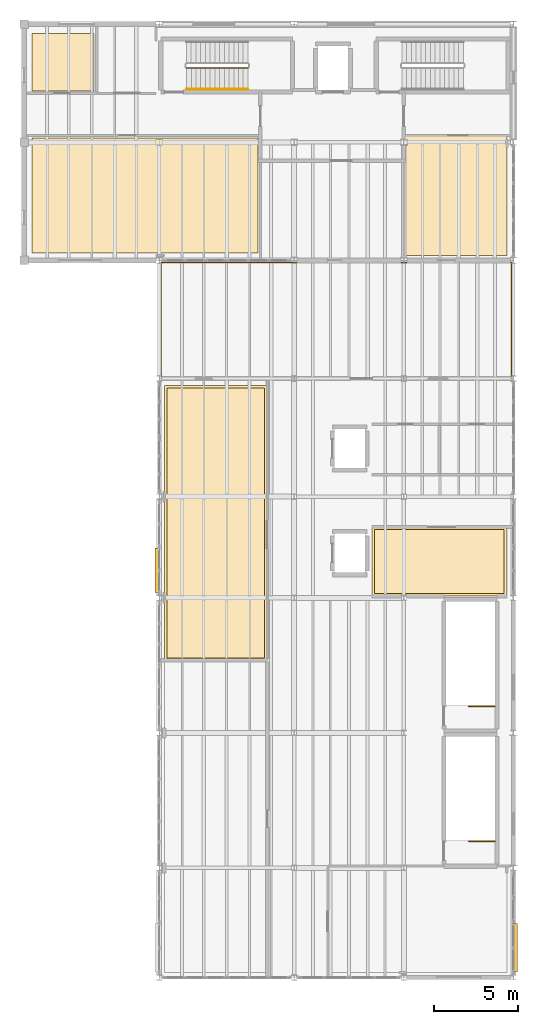
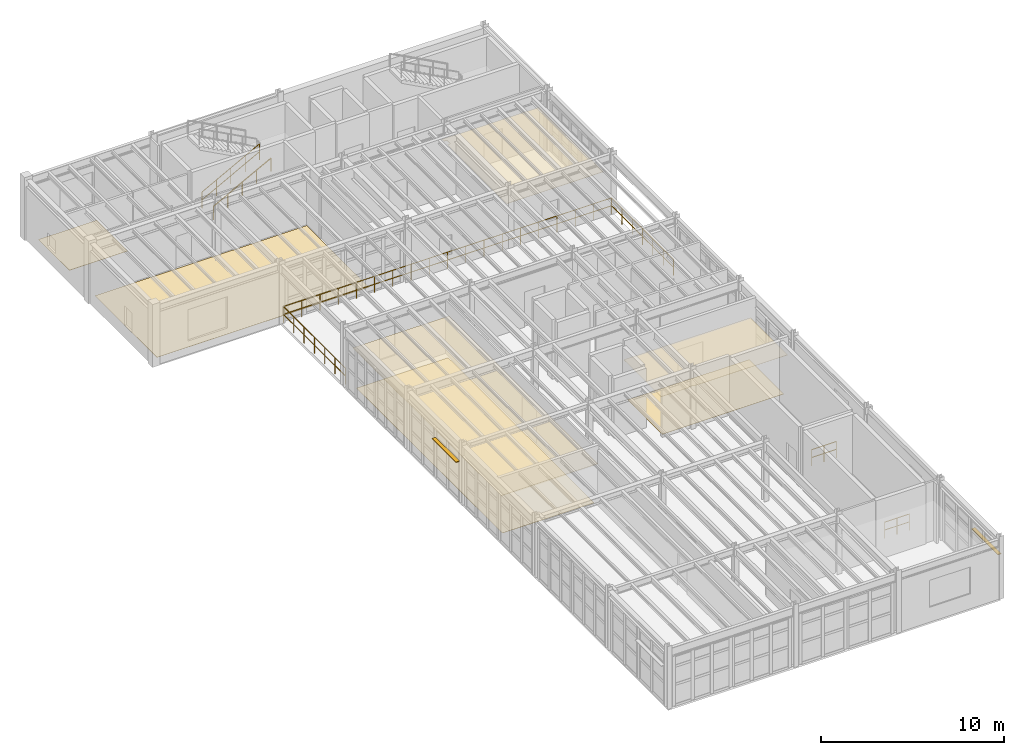
# One storey, part 26 of 27: 7 coverings, 5 railings, 2 shading devices.
"""IFC4 building model written with IfcOpenShell, lengths in metres."""

from ifc_helpers import new_model, si_unit, direction, frame, origin, origin_2d, place, context, subcontext, project, spatial, polyline, rectangle, circle, outline, extrude, material, layer, layer_set, type_object, element, save


model = new_model("IFC4")

# Units and contexts
model_context = context("Model", 3, precision=1e-05, world=origin(), true_north=direction((0.0, 1.0)))
body_context = subcontext(model_context, "Body", "Model", "MODEL_VIEW")
ifc_project = project(units=[si_unit("LENGTHUNIT", "METRE"), si_unit("AREAUNIT", "SQUARE_METRE"), si_unit("VOLUMEUNIT", "CUBIC_METRE"), si_unit("PLANEANGLEUNIT", "RADIAN"), si_unit("MASSUNIT", "GRAM", prefix="KILO"), si_unit("THERMODYNAMICTEMPERATUREUNIT", "KELVIN"), si_unit("POWERUNIT", "WATT")], contexts=[model_context])

# Site, building, storey
site_placement = place(None, origin())
site = spatial("IfcSite", under=ifc_project, at=site_placement, CompositionType="ELEMENT")
building_placement = place(site_placement, origin())
building = spatial("IfcBuilding", under=site, at=building_placement, Name="Zhenchuan Central Fire Station", CompositionType="ELEMENT")
storey_placement = place(building_placement, frame((0.0, 0.0, 14.25)))
storey = spatial("IfcBuildingStorey", under=building, at=storey_placement, Name="L04", CompositionType="ELEMENT", Elevation=14.25)

# Coverings
ifc_material_1 = material(Name="Gypsum plasterboard acoustic ceiling", Category="gypsum")
ifc_layer_1 = layer(ifc_material_1, 0.01806640625, Name="Gypsum plasterboard acoustic ceiling", Category="gypsum")
ifc_layer_set_1 = layer_set([ifc_layer_1], Name="Gypsum plasterboard acoustic ceiling")
covering_type_1 = type_object("IfcCoveringType", Name="COV-CEIL-GYP", PredefinedType="CEILING", material=ifc_layer_set_1)
covering_1_placement = place(storey_placement, frame((0.0, 0.0, 2.64990234375)))
element("IfcCovering", 1, at=covering_1_placement, inside=storey, type_object=covering_type_1, Name="Multi-Agency Crisis Conference Hall Acoustic Ceiling", PredefinedType="CEILING", context=body_context, shape_type="SweptSolid", body=[
    extrude(outline(polyline([(140.300048828125, 18.800048828125), (140.300048828125, 35.10009765625), (146.39990234375, 35.10009765625), (146.39990234375, 18.800048828125), (140.300048828125, 18.800048828125)])), origin(), (0.0, 0.0, 1.0), 0.01806640625),
])
covering_2_placement = place(storey_placement, frame((0.0, 0.0, 2.64990234375)))
element("IfcCovering", 2, at=covering_2_placement, inside=storey, type_object=covering_type_1, Name="Command Situation Briefing Room Acoustic Ceiling", PredefinedType="CEILING", context=body_context, shape_type="SweptSolid", body=[
    extrude(outline(polyline([(152.60009765625, 22.60009765625), (152.60009765625, 26.699951171875), (160.60009765625, 26.699951171875), (160.60009765625, 22.60009765625), (154.655029296875, 22.60009765625), (154.655029296875, 22.655029296875), (154.344970703125, 22.655029296875), (154.344970703125, 22.60009765625), (152.60009765625, 22.60009765625)])), origin(), (0.0, 0.0, 1.0), 0.01806640625),
])
covering_3_placement = place(storey_placement, frame((0.0, 0.0, 2.64990234375)))
element("IfcCovering", 3, at=covering_3_placement, inside=storey, type_object=covering_type_1, Name="Tactical Debriefing Classroom Acoustic Ceiling", PredefinedType="CEILING", context=body_context, shape_type="SweptSolid", body=[
    extrude(outline(polyline([(154.5, 49.89990234375), (160.60009765625, 49.89990234375), (160.60009765625, 42.800048828125), (154.5, 42.800048828125), (154.5, 49.320068359375), (154.679931640625, 49.320068359375), (154.679931640625, 49.679931640625), (154.5, 49.679931640625), (154.5, 49.89990234375)])), origin(), (0.0, 0.0, 1.0), 0.01806640625),
])
ifc_material_2 = material(Name="Heavy-duty slip-resistant ceramic tile flooring")
ifc_layer_2 = layer(ifc_material_2, 0.014892578125, Name="Heavy-duty slip-resistant ceramic tile flooring")
ifc_layer_set_2 = layer_set([ifc_layer_2], Name="Heavy-duty slip-resistant ceramic tile flooring")
covering_type_2 = type_object("IfcCoveringType", Name="COV-FLR-RES", PredefinedType="FLOORING", material=ifc_layer_set_2)
covering_4_placement = place(storey_placement, origin())
element("IfcCovering", 4, at=covering_4_placement, inside=storey, type_object=covering_type_2, Name="Multi-Agency Crisis Conference Hall Ceramic Tile Flooring", PredefinedType="FLOORING", context=body_context, shape_type="SweptSolid", body=[
    extrude(outline(polyline([(140.449951171875, 18.949951171875), (146.25, 18.949951171875), (146.25, 34.949951171875), (140.449951171875, 34.949951171875), (140.449951171875, 18.949951171875)])), origin(), (0.0, 0.0, 1.0), 0.014892578125),
])
covering_5_placement = place(storey_placement, origin())
element("IfcCovering", 5, at=covering_5_placement, inside=storey, type_object=covering_type_2, Name="Command Situation Briefing Room Ceramic Tile Flooring", PredefinedType="FLOORING", context=body_context, shape_type="SweptSolid", body=[
    extrude(outline(polyline([(152.75, 22.75), (160.449951171875, 22.75), (160.449951171875, 26.550048828125), (152.75, 26.550048828125), (152.75, 22.75)])), origin(), (0.0, 0.0, 1.0), 0.014892578125),
])
covering_6_placement = place(storey_placement, origin())
element("IfcCovering", 6, at=covering_6_placement, inside=storey, type_object=covering_type_2, Name="Vertical Shaft Rescue Chamber Ceramic Tile Flooring", PredefinedType="FLOORING", context=body_context, shape_type="SweptSolid", body=[
    extrude(outline(polyline([(132.449951171875, 42.949951171875), (145.85009765625, 42.949951171875), (145.85009765625, 49.75), (132.449951171875, 49.75), (132.449951171875, 42.949951171875)])), origin(), (0.0, 0.0, 1.0), 0.014892578125),
])
covering_7_placement = place(storey_placement, origin())
element("IfcCovering", 7, at=covering_7_placement, inside=storey, type_object=covering_type_2, Name="Drill Tower Accessible WC L04 Ceramic Tile Flooring", PredefinedType="FLOORING", context=body_context, shape_type="SweptSolid", body=[
    extrude(outline(polyline([(132.449951171875, 52.550048828125), (136.14990234375, 52.550048828125), (136.14990234375, 55.949951171875), (132.449951171875, 55.949951171875), (132.449951171875, 52.550048828125)])), origin(), (0.0, 0.0, 1.0), 0.014892578125),
])

# Railings
ifc_material_3 = material(Name="Galvanised powder-coated steel", Category="steel")
railing_type_1 = type_object("IfcRailingType", Name="RL-EXT-GRD", PredefinedType="GUARDRAIL", material=ifc_material_3)
railing_1_placement = place(storey_placement, frame((140.1201171875, 35.60009765625, 0.0)))
element("IfcRailing", 8, at=railing_1_placement, inside=storey, type_object=railing_type_1, Name="GRD-L04-V2TER", PredefinedType="GUARDRAIL", context=body_context, shape_type="SweptSolid", body=[
    extrude(circle(Radius=0.02392578125, at=origin_2d()), frame((0.0, 0.0, 1.076171875), z_axis=(0.0, 1.0, 0.0), x_axis=(-1.0, 0.0, 0.0)), (0.0, 0.0, 1.0), 6.77978515625),
    extrude(circle(Radius=0.02392578125, at=origin_2d()), frame((0.0, 0.0, 0.550048828125), z_axis=(0.0, 1.0, 0.0), x_axis=(-1.0, 0.0, 0.0)), (0.0, 0.0, 1.0), 6.77978515625),
    extrude(circle(Radius=0.02392578125, at=origin_2d()), frame((0.0, 6.77978515625, 1.076171875), z_axis=(1.0, 0.0, 0.0), x_axis=(0.0, 1.0, 0.0)), (0.0, 0.0, 1.0), 20.759765625),
    extrude(circle(Radius=0.02392578125, at=origin_2d()), frame((0.0, 6.77978515625, 0.550048828125), z_axis=(1.0, 0.0, 0.0), x_axis=(0.0, 1.0, 0.0)), (0.0, 0.0, 1.0), 20.759765625),
    extrude(circle(Radius=0.02392578125, at=origin_2d()), frame((20.759765625, 6.77978515625, 1.076171875), z_axis=(0.0, -1.0, 0.0), x_axis=(1.0, 0.0, 0.0)), (0.0, 0.0, 1.0), 6.77978515625),
    extrude(circle(Radius=0.02392578125, at=origin_2d()), frame((20.759765625, 6.77978515625, 0.550048828125), z_axis=(0.0, -1.0, 0.0), x_axis=(1.0, 0.0, 0.0)), (0.0, 0.0, 1.0), 6.77978515625),
    extrude(circle(Radius=0.02099609375, at=origin_2d()), origin(), (0.0, 0.0, 1.0), 1.052001953125),
    extrude(circle(Radius=0.02099609375, at=origin_2d()), frame((0.0, 1.1298828125, 0.0)), (0.0, 0.0, 1.0), 1.052001953125),
    extrude(circle(Radius=0.02099609375, at=origin_2d()), frame((0.0, 2.260009765625, 0.0)), (0.0, 0.0, 1.0), 1.052001953125),
    extrude(circle(Radius=0.02099609375, at=origin_2d()), frame((0.0, 3.389892578125, 0.0)), (0.0, 0.0, 1.0), 1.052001953125),
    extrude(circle(Radius=0.02099609375, at=origin_2d()), frame((0.0, 4.519775390625, 0.0)), (0.0, 0.0, 1.0), 1.052001953125),
    extrude(circle(Radius=0.02099609375, at=origin_2d()), frame((0.0, 5.64990234375, 0.0)), (0.0, 0.0, 1.0), 1.052001953125),
    extrude(circle(Radius=0.02099609375, at=origin_2d()), frame((0.0, 6.77978515625, 0.0)), (0.0, 0.0, 1.0), 1.052001953125),
    extrude(circle(Radius=0.02099609375, at=origin_2d()), frame((1.1533203125, 6.77978515625, 0.0)), (0.0, 0.0, 1.0), 1.052001953125),
    extrude(circle(Radius=0.02099609375, at=origin_2d()), frame((2.306640625, 6.77978515625, 0.0)), (0.0, 0.0, 1.0), 1.052001953125),
    extrude(circle(Radius=0.02099609375, at=origin_2d()), frame((3.4599609375, 6.77978515625, 0.0)), (0.0, 0.0, 1.0), 1.052001953125),
    extrude(circle(Radius=0.02099609375, at=origin_2d()), frame((4.61328125, 6.77978515625, 0.0)), (0.0, 0.0, 1.0), 1.052001953125),
    extrude(circle(Radius=0.02099609375, at=origin_2d()), frame((5.7666015625, 6.77978515625, 0.0)), (0.0, 0.0, 1.0), 1.052001953125),
    extrude(circle(Radius=0.02099609375, at=origin_2d()), frame((6.919921875, 6.77978515625, 0.0)), (0.0, 0.0, 1.0), 1.052001953125),
    extrude(circle(Radius=0.02099609375, at=origin_2d()), frame((8.0732421875, 6.77978515625, 0.0)), (0.0, 0.0, 1.0), 1.052001953125),
    extrude(circle(Radius=0.02099609375, at=origin_2d()), frame((9.2265625, 6.77978515625, 0.0)), (0.0, 0.0, 1.0), 1.052001953125),
    extrude(circle(Radius=0.02099609375, at=origin_2d()), frame((10.3798828125, 6.77978515625, 0.0)), (0.0, 0.0, 1.0), 1.052001953125),
    extrude(circle(Radius=0.02099609375, at=origin_2d()), frame((11.533203125, 6.77978515625, 0.0)), (0.0, 0.0, 1.0), 1.052001953125),
    extrude(circle(Radius=0.02099609375, at=origin_2d()), frame((12.6865234375, 6.77978515625, 0.0)), (0.0, 0.0, 1.0), 1.052001953125),
    extrude(circle(Radius=0.02099609375, at=origin_2d()), frame((13.83984375, 6.77978515625, 0.0)), (0.0, 0.0, 1.0), 1.052001953125),
    extrude(circle(Radius=0.02099609375, at=origin_2d()), frame((14.9931640625, 6.77978515625, 0.0)), (0.0, 0.0, 1.0), 1.052001953125),
    extrude(circle(Radius=0.02099609375, at=origin_2d()), frame((16.146484375, 6.77978515625, 0.0)), (0.0, 0.0, 1.0), 1.052001953125),
    extrude(circle(Radius=0.02099609375, at=origin_2d()), frame((17.2998046875, 6.77978515625, 0.0)), (0.0, 0.0, 1.0), 1.052001953125),
    extrude(circle(Radius=0.02099609375, at=origin_2d()), frame((18.453125, 6.77978515625, 0.0)), (0.0, 0.0, 1.0), 1.052001953125),
    extrude(circle(Radius=0.02099609375, at=origin_2d()), frame((19.6064453125, 6.77978515625, 0.0)), (0.0, 0.0, 1.0), 1.052001953125),
    extrude(circle(Radius=0.02099609375, at=origin_2d()), frame((20.759765625, 6.77978515625, 0.0)), (0.0, 0.0, 1.0), 1.052001953125),
    extrude(circle(Radius=0.02099609375, at=origin_2d()), frame((20.759765625, 5.64990234375, 0.0)), (0.0, 0.0, 1.0), 1.052001953125),
    extrude(circle(Radius=0.02099609375, at=origin_2d()), frame((20.759765625, 4.519775390625, 0.0)), (0.0, 0.0, 1.0), 1.052001953125),
    extrude(circle(Radius=0.02099609375, at=origin_2d()), frame((20.759765625, 3.389892578125, 0.0)), (0.0, 0.0, 1.0), 1.052001953125),
    extrude(circle(Radius=0.02099609375, at=origin_2d()), frame((20.759765625, 2.260009765625, 0.0)), (0.0, 0.0, 1.0), 1.052001953125),
    extrude(circle(Radius=0.02099609375, at=origin_2d()), frame((20.759765625, 1.1298828125, 0.0)), (0.0, 0.0, 1.0), 1.052001953125),
    extrude(circle(Radius=0.02099609375, at=origin_2d()), frame((20.759765625, 0.0, 0.0)), (0.0, 0.0, 1.0), 1.052001953125),
])
railing_type_2 = type_object("IfcRailingType", Name="RL-ST-GRD", PredefinedType="GUARDRAIL", material=ifc_material_3)
for number, where, name in (
    (9, (159.89990234375, 8.070068359375, 0.0), "L04 ST-10 top well guard 1"),
    (10, (159.89990234375, 16.070068359375, 0.0), "L04 ST-11 top well guard 1"),
):
    element("IfcRailing", number, at=place(storey_placement, frame(where)), inside=storey, type_object=railing_type_2, Name=name, PredefinedType="GUARDRAIL", context=body_context, shape_type="SweptSolid", body=[
        extrude(circle(Radius=0.02392578125, at=origin_2d()), frame((0.0, 0.0, 1.076171875), z_axis=(-1.0, 0.0, 0.0), x_axis=(0.0, -1.0, 0.0)), (0.0, 0.0, 1.0), 1.5498046875),
        extrude(circle(Radius=0.02392578125, at=origin_2d()), frame((0.0, 0.0, 0.550048828125), z_axis=(-1.0, 0.0, 0.0), x_axis=(0.0, -1.0, 0.0)), (0.0, 0.0, 1.0), 1.5498046875),
        extrude(circle(Radius=0.02099609375, at=origin_2d()), origin(), (0.0, 0.0, 1.0), 1.052001953125),
        extrude(circle(Radius=0.02099609375, at=origin_2d()), frame((-0.77490234375, 0.0, 0.0)), (0.0, 0.0, 1.0), 1.052001953125),
        extrude(circle(Radius=0.02099609375, at=origin_2d()), frame((-1.5498046875, 0.0, 0.0)), (0.0, 0.0, 1.0), 1.052001953125),
    ])
railing_2_placement = place(storey_placement, frame((141.6201171875, 53.89990234375, 0.14990234375)))
element("IfcRailing", 11, at=railing_2_placement, inside=storey, type_object=railing_type_2, Name="L04 ST-12 stair guard 1", PredefinedType="GUARDRAIL", context=body_context, shape_type="SweptSolid", body=[
    extrude(circle(Radius=0.02392578125, at=origin_2d()), frame((0.0, 0.0, 1.076171875), z_axis=(0.88145447994, 0.0, 0.472268990929), x_axis=(0.0, 1.0, 0.0)), (0.0, 0.0, 1.0), 4.12939453125),
    extrude(circle(Radius=0.02392578125, at=origin_2d()), frame((0.0, 0.0, 0.550048828125), z_axis=(0.88145447994, 0.0, 0.472268990929), x_axis=(0.0, 1.0, 0.0)), (0.0, 0.0, 1.0), 4.12939453125),
    extrude(circle(Radius=0.02099609375, at=origin_2d()), origin(), (0.0, 0.0, 1.0), 1.052001953125),
    extrude(circle(Radius=0.02099609375, at=origin_2d()), frame((0.909912109375, 0.0, 0.487548828125)), (0.0, 0.0, 1.0), 1.052001953125),
    extrude(circle(Radius=0.02099609375, at=origin_2d()), frame((1.81982421875, 0.0, 0.97509765625)), (0.0, 0.0, 1.0), 1.052001953125),
    extrude(circle(Radius=0.02099609375, at=origin_2d()), frame((2.72998046875, 0.0, 1.462646484375)), (0.0, 0.0, 1.0), 1.052001953125),
    extrude(circle(Radius=0.02099609375, at=origin_2d()), frame((3.639892578125, 0.0, 1.9501953125)), (0.0, 0.0, 1.0), 1.052001953125),
])
ifc_material_4 = material(Name="Brushed stainless steel handrail", Category="steel")
railing_type_3 = type_object("IfcRailingType", Name="RL-ST-HND", PredefinedType="HANDRAIL", material=ifc_material_4)
railing_3_placement = place(storey_placement, frame((141.6201171875, 52.64990234375, 0.14990234375)))
element("IfcRailing", 12, at=railing_3_placement, inside=storey, type_object=railing_type_3, Name="L04 ST-12 stair handrail 1", PredefinedType="HANDRAIL", context=body_context, shape_type="SweptSolid", body=[
    extrude(circle(Radius=0.02392578125, at=origin_2d()), frame((0.0, 0.0, 0.8759765625), z_axis=(0.88145447994, 0.0, 0.472268990929), x_axis=(0.0, 1.0, 0.0)), (0.0, 0.0, 1.0), 4.12939453125),
    extrude(circle(Radius=0.02099609375, at=origin_2d()), origin(), (0.0, 0.0, 1.0), 0.851806640625),
    extrude(circle(Radius=0.02099609375, at=origin_2d()), frame((0.909912109375, 0.0, 0.487548828125)), (0.0, 0.0, 1.0), 0.851806640625),
    extrude(circle(Radius=0.02099609375, at=origin_2d()), frame((1.81982421875, 0.0, 0.97509765625)), (0.0, 0.0, 1.0), 0.851806640625),
    extrude(circle(Radius=0.02099609375, at=origin_2d()), frame((2.72998046875, 0.0, 1.462646484375)), (0.0, 0.0, 1.0), 0.851806640625),
    extrude(circle(Radius=0.02099609375, at=origin_2d()), frame((3.639892578125, 0.0, 1.9501953125)), (0.0, 0.0, 1.0), 0.851806640625),
])

# Shading devices
ifc_material_5 = material(Name="Anodised aluminium EN AW-6063", Category="aluminium")
ifc_layer_3 = layer(ifc_material_5, 0.0400390625, Name="Anodised aluminium EN AW-6063", Category="aluminium")
ifc_layer_set_3 = layer_set([ifc_layer_3], Name="Anodised aluminium EN AW-6063")
shading_device_type = type_object("IfcShadingDeviceType", Name="SHD-ALU-FIN", PredefinedType="JALOUSIE", material=ifc_layer_set_3)
shading_device_1_placement = place(storey_placement, frame((161.138427734375, 1.756103515625, 2.629638671875), z_axis=(0.0, 0.0, 1.0), x_axis=(0.0, 1.0, 0.0)))
element("IfcShadingDevice", 13, at=shading_device_1_placement, inside=storey, type_object=shading_device_type, Name="Perforated Aluminium Sun-Shading Louvre 016", PredefinedType="JALOUSIE", context=body_context, shape_type="SweptSolid", body=[
    extrude(rectangle(XDim=2.8720703125, YDim=0.219970703125, at=origin_2d()), origin(), (0.0, 0.0, 1.0), 0.044921875),
])
shading_device_2_placement = place(storey_placement, frame((139.8564453125, 24.131103515625, 2.61865234375), z_axis=(0.0, 0.0, 1.0), x_axis=(0.0, 1.0, 0.0)))
element("IfcShadingDevice", 14, at=shading_device_2_placement, inside=storey, type_object=shading_device_type, Name="Perforated Aluminium Sun-Shading Louvre 018", PredefinedType="JALOUSIE", context=body_context, shape_type="SweptSolid", body=[
    extrude(rectangle(XDim=2.6220703125, YDim=0.219970703125, at=origin_2d()), origin(), (0.0, 0.0, 1.0), 0.044921875),
])

save(model, "model.ifc")
